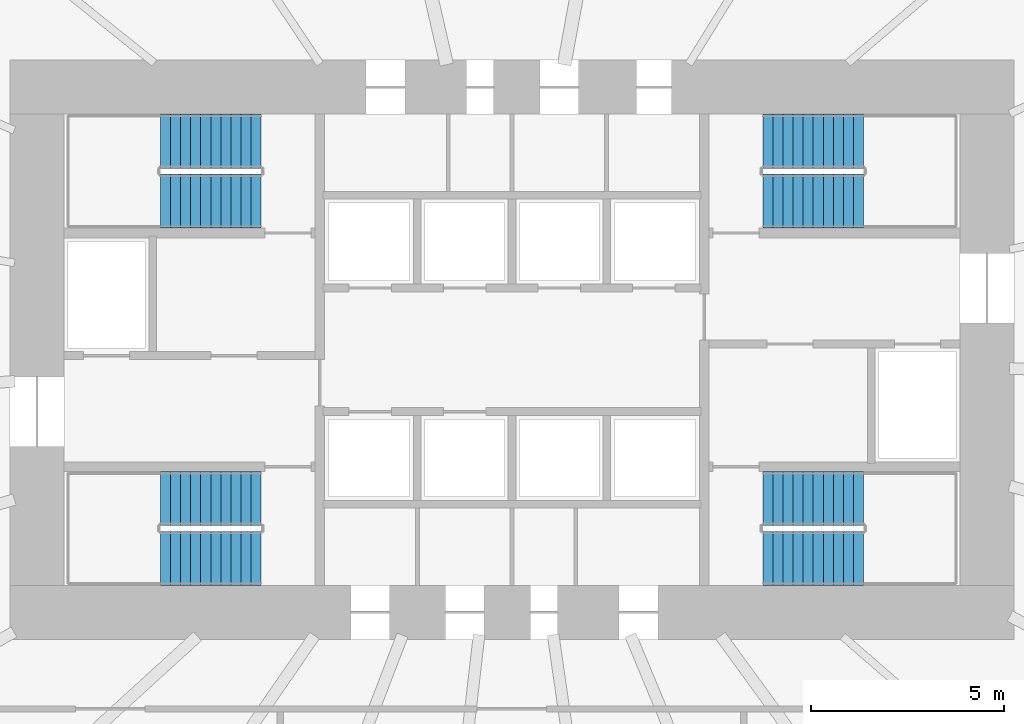
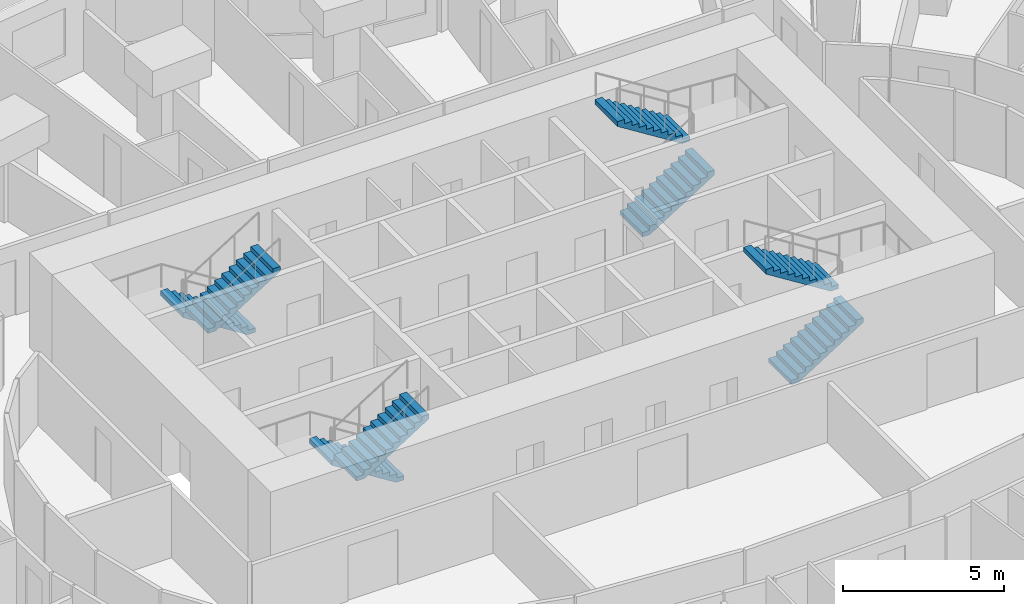
# One storey, part 11 of 12: 8 stair flights, 4 elements without a shape of their own.
"""IFC4 building model written with IfcOpenShell, lengths in metres."""

from ifc_helpers import new_model, si_unit, direction, frame, origin, place, context, subcontext, project, spatial, polyline, outline, extrude, material, type_object, element, aggregate, save


model = new_model("IFC4")

# Units and contexts
model_context = context("Model", 3, precision=1e-05, world=origin(), true_north=direction((0.0, 1.0)))
body_context = subcontext(model_context, "Body", "Model", "MODEL_VIEW")
ifc_project = project(units=[si_unit("LENGTHUNIT", "METRE"), si_unit("AREAUNIT", "SQUARE_METRE"), si_unit("VOLUMEUNIT", "CUBIC_METRE"), si_unit("PLANEANGLEUNIT", "RADIAN"), si_unit("MASSUNIT", "GRAM", prefix="KILO")], contexts=[model_context])

# Site, building, storey
site_placement = place(None, origin())
site = spatial("IfcSite", under=ifc_project, at=site_placement, CompositionType="ELEMENT")
building_placement = place(site_placement, origin())
building = spatial("IfcBuilding", under=site, at=building_placement, Name="Rubra Terraces Tower", CompositionType="ELEMENT")
storey_placement = place(building_placement, frame((0.0, 0.0, 73.5)))
storey = spatial("IfcBuildingStorey", under=building, at=storey_placement, Name="L16", CompositionType="ELEMENT", Elevation=73.5)

# Stair, stair flights
ifc_material = material(Name="Concrete C40", Category="concrete")
stair_type = type_object("IfcStairType", Name="Core stair 1400", PredefinedType="HALF_TURN_STAIR", material=ifc_material)
stair_1_placement = place(storey_placement, origin())
stair_1 = element("IfcStair", 1, at=stair_1_placement, inside=storey, type_object=stair_type, Name="L16 Exit stair S1", PredefinedType="HALF_TURN_STAIR")
stair_flight_type = type_object("IfcStairFlightType", Name="Core stair flight 1400", PredefinedType="STRAIGHT", material=ifc_material)
stair_flight_1_placement = place(storey_placement, frame((-6.5, 0.64990234375, 0.0), z_axis=(0.0, 0.0, 1.0), x_axis=(-1.0, 0.0, 0.0)))
stair_flight_1 = element("IfcStairFlight", 2, at=stair_flight_1_placement, type_object=stair_flight_type, Name="S1 flight 1", NumberOfRisers=11, NumberOfTreads=10, PredefinedType="STRAIGHT", RiserHeight=0.163636364, TreadLength=0.26, context=body_context, shape_type="SweptSolid", body=[
    extrude(outline(polyline([(0.0, 0.0), (0.0, 0.16357421875), (0.260009765625, 0.16357421875), (0.260009765625, 0.327392578125), (0.52001953125, 0.327392578125), (0.52001953125, 0.490966796875), (0.780029296875, 0.490966796875), (0.780029296875, 0.654541015625), (1.0400390625, 0.654541015625), (1.0400390625, 0.818115234375), (1.300048828125, 0.818115234375), (1.300048828125, 0.98193359375), (1.56005859375, 0.98193359375), (1.56005859375, 1.1455078125), (1.820068359375, 1.1455078125), (1.820068359375, 1.30908203125), (2.080078125, 1.30908203125), (2.080078125, 1.47265625), (2.340087890625, 1.47265625), (2.340087890625, 1.636474609375), (2.60009765625, 1.636474609375), (2.60009765625, 1.800048828125), (2.60009765625, 1.459228515625), (0.281494140625, 0.0), (0.0, 0.0)])), frame((0.0, 0.699951171875, 0.0), z_axis=(0.0, -1.0, 0.0), x_axis=(1.0, 0.0, 0.0)), (0.0, 0.0, 1.0), 1.39990234375),
])
stair_flight_2_placement = place(storey_placement, frame((-9.10009765625, -0.89990234375, 1.800048828125), z_axis=(0.0, 0.0, 1.0), x_axis=(1.0, 0.0, 0.0)))
stair_flight_2 = element("IfcStairFlight", 3, at=stair_flight_2_placement, type_object=stair_flight_type, Name="S1 flight 2", NumberOfRisers=11, NumberOfTreads=10, PredefinedType="STRAIGHT", RiserHeight=0.163636364, TreadLength=0.26, context=body_context, shape_type="SweptSolid", body=[
    extrude(outline(polyline([(0.0, 0.0), (0.0, 0.16357421875), (0.260009765625, 0.16357421875), (0.260009765625, 0.327392578125), (0.52001953125, 0.327392578125), (0.52001953125, 0.490966796875), (0.780029296875, 0.490966796875), (0.780029296875, 0.654541015625), (1.0400390625, 0.654541015625), (1.0400390625, 0.818115234375), (1.300048828125, 0.818115234375), (1.300048828125, 0.98193359375), (1.56005859375, 0.98193359375), (1.56005859375, 1.1455078125), (1.820068359375, 1.1455078125), (1.820068359375, 1.30908203125), (2.080078125, 1.30908203125), (2.080078125, 1.47265625), (2.340087890625, 1.47265625), (2.340087890625, 1.636474609375), (2.60009765625, 1.636474609375), (2.60009765625, 1.800048828125), (2.60009765625, 1.459228515625), (0.281494140625, 0.0), (0.0, 0.0)])), frame((0.0, 0.699951171875, 0.0), z_axis=(0.0, -1.0, 0.0), x_axis=(1.0, 0.0, 0.0)), (0.0, 0.0, 1.0), 1.39990234375),
])
aggregate(stair_1, [stair_flight_1, stair_flight_2])

stair_2_placement = place(storey_placement, origin())
stair_2 = element("IfcStair", 4, at=stair_2_placement, inside=storey, type_object=stair_type, Name="L16 Exit stair S2", PredefinedType="HALF_TURN_STAIR")
stair_flight_3_placement = place(storey_placement, frame((-6.5, 9.89990234375, 0.0), z_axis=(0.0, 0.0, 1.0), x_axis=(-1.0, 0.0, 0.0)))
stair_flight_3 = element("IfcStairFlight", 5, at=stair_flight_3_placement, type_object=stair_flight_type, Name="S2 flight 1", NumberOfRisers=11, NumberOfTreads=10, PredefinedType="STRAIGHT", RiserHeight=0.163636364, TreadLength=0.26, context=body_context, shape_type="SweptSolid", body=[
    extrude(outline(polyline([(0.0, 0.0), (0.0, 0.16357421875), (0.260009765625, 0.16357421875), (0.260009765625, 0.327392578125), (0.52001953125, 0.327392578125), (0.52001953125, 0.490966796875), (0.780029296875, 0.490966796875), (0.780029296875, 0.654541015625), (1.0400390625, 0.654541015625), (1.0400390625, 0.818115234375), (1.300048828125, 0.818115234375), (1.300048828125, 0.98193359375), (1.56005859375, 0.98193359375), (1.56005859375, 1.1455078125), (1.820068359375, 1.1455078125), (1.820068359375, 1.30908203125), (2.080078125, 1.30908203125), (2.080078125, 1.47265625), (2.340087890625, 1.47265625), (2.340087890625, 1.636474609375), (2.60009765625, 1.636474609375), (2.60009765625, 1.800048828125), (2.60009765625, 1.459228515625), (0.281494140625, 0.0), (0.0, 0.0)])), frame((0.0, 0.699951171875, 0.0), z_axis=(0.0, -1.0, 0.0), x_axis=(1.0, 0.0, 0.0)), (0.0, 0.0, 1.0), 1.39990234375),
])
stair_flight_4_placement = place(storey_placement, frame((-9.10009765625, 8.35009765625, 1.800048828125), z_axis=(0.0, 0.0, 1.0), x_axis=(1.0, 0.0, 0.0)))
stair_flight_4 = element("IfcStairFlight", 6, at=stair_flight_4_placement, type_object=stair_flight_type, Name="S2 flight 2", NumberOfRisers=11, NumberOfTreads=10, PredefinedType="STRAIGHT", RiserHeight=0.163636364, TreadLength=0.26, context=body_context, shape_type="SweptSolid", body=[
    extrude(outline(polyline([(0.0, 0.0), (0.0, 0.16357421875), (0.260009765625, 0.16357421875), (0.260009765625, 0.327392578125), (0.52001953125, 0.327392578125), (0.52001953125, 0.490966796875), (0.780029296875, 0.490966796875), (0.780029296875, 0.654541015625), (1.0400390625, 0.654541015625), (1.0400390625, 0.818115234375), (1.300048828125, 0.818115234375), (1.300048828125, 0.98193359375), (1.56005859375, 0.98193359375), (1.56005859375, 1.1455078125), (1.820068359375, 1.1455078125), (1.820068359375, 1.30908203125), (2.080078125, 1.30908203125), (2.080078125, 1.47265625), (2.340087890625, 1.47265625), (2.340087890625, 1.636474609375), (2.60009765625, 1.636474609375), (2.60009765625, 1.800048828125), (2.60009765625, 1.459228515625), (0.281494140625, 0.0), (0.0, 0.0)])), frame((0.0, 0.699951171875, 0.0), z_axis=(0.0, -1.0, 0.0), x_axis=(1.0, 0.0, 0.0)), (0.0, 0.0, 1.0), 1.39990234375),
])
aggregate(stair_2, [stair_flight_3, stair_flight_4])

stair_3_placement = place(storey_placement, origin())
stair_3 = element("IfcStair", 7, at=stair_3_placement, inside=storey, type_object=stair_type, Name="L16 Exit stair S3", PredefinedType="HALF_TURN_STAIR")
stair_flight_5_placement = place(storey_placement, frame((6.5, 8.35009765625, 0.0), z_axis=(0.0, 0.0, 1.0), x_axis=(1.0, 0.0, 0.0)))
stair_flight_5 = element("IfcStairFlight", 8, at=stair_flight_5_placement, type_object=stair_flight_type, Name="S3 flight 1", NumberOfRisers=11, NumberOfTreads=10, PredefinedType="STRAIGHT", RiserHeight=0.163636364, TreadLength=0.26, context=body_context, shape_type="SweptSolid", body=[
    extrude(outline(polyline([(0.0, 0.0), (0.0, 0.16357421875), (0.260009765625, 0.16357421875), (0.260009765625, 0.327392578125), (0.52001953125, 0.327392578125), (0.52001953125, 0.490966796875), (0.780029296875, 0.490966796875), (0.780029296875, 0.654541015625), (1.0400390625, 0.654541015625), (1.0400390625, 0.818115234375), (1.300048828125, 0.818115234375), (1.300048828125, 0.98193359375), (1.56005859375, 0.98193359375), (1.56005859375, 1.1455078125), (1.820068359375, 1.1455078125), (1.820068359375, 1.30908203125), (2.080078125, 1.30908203125), (2.080078125, 1.47265625), (2.340087890625, 1.47265625), (2.340087890625, 1.636474609375), (2.60009765625, 1.636474609375), (2.60009765625, 1.800048828125), (2.60009765625, 1.459228515625), (0.281494140625, 0.0), (0.0, 0.0)])), frame((0.0, 0.699951171875, 0.0), z_axis=(0.0, -1.0, 0.0), x_axis=(1.0, 0.0, 0.0)), (0.0, 0.0, 1.0), 1.39990234375),
])
stair_flight_6_placement = place(storey_placement, frame((9.10009765625, 9.89990234375, 1.800048828125), z_axis=(0.0, 0.0, 1.0), x_axis=(-1.0, 0.0, 0.0)))
stair_flight_6 = element("IfcStairFlight", 9, at=stair_flight_6_placement, type_object=stair_flight_type, Name="S3 flight 2", NumberOfRisers=11, NumberOfTreads=10, PredefinedType="STRAIGHT", RiserHeight=0.163636364, TreadLength=0.26, context=body_context, shape_type="SweptSolid", body=[
    extrude(outline(polyline([(0.0, 0.0), (0.0, 0.16357421875), (0.260009765625, 0.16357421875), (0.260009765625, 0.327392578125), (0.52001953125, 0.327392578125), (0.52001953125, 0.490966796875), (0.780029296875, 0.490966796875), (0.780029296875, 0.654541015625), (1.0400390625, 0.654541015625), (1.0400390625, 0.818115234375), (1.300048828125, 0.818115234375), (1.300048828125, 0.98193359375), (1.56005859375, 0.98193359375), (1.56005859375, 1.1455078125), (1.820068359375, 1.1455078125), (1.820068359375, 1.30908203125), (2.080078125, 1.30908203125), (2.080078125, 1.47265625), (2.340087890625, 1.47265625), (2.340087890625, 1.636474609375), (2.60009765625, 1.636474609375), (2.60009765625, 1.800048828125), (2.60009765625, 1.459228515625), (0.281494140625, 0.0), (0.0, 0.0)])), frame((0.0, 0.699951171875, 0.0), z_axis=(0.0, -1.0, 0.0), x_axis=(1.0, 0.0, 0.0)), (0.0, 0.0, 1.0), 1.39990234375),
])
aggregate(stair_3, [stair_flight_5, stair_flight_6])

stair_4_placement = place(storey_placement, origin())
stair_4 = element("IfcStair", 10, at=stair_4_placement, inside=storey, type_object=stair_type, Name="L16 Exit stair S4", PredefinedType="HALF_TURN_STAIR")
stair_flight_7_placement = place(storey_placement, frame((6.5, -0.89990234375, 0.0), z_axis=(0.0, 0.0, 1.0), x_axis=(1.0, 0.0, 0.0)))
stair_flight_7 = element("IfcStairFlight", 11, at=stair_flight_7_placement, type_object=stair_flight_type, Name="S4 flight 1", NumberOfRisers=11, NumberOfTreads=10, PredefinedType="STRAIGHT", RiserHeight=0.163636364, TreadLength=0.26, context=body_context, shape_type="SweptSolid", body=[
    extrude(outline(polyline([(0.0, 0.0), (0.0, 0.16357421875), (0.260009765625, 0.16357421875), (0.260009765625, 0.327392578125), (0.52001953125, 0.327392578125), (0.52001953125, 0.490966796875), (0.780029296875, 0.490966796875), (0.780029296875, 0.654541015625), (1.0400390625, 0.654541015625), (1.0400390625, 0.818115234375), (1.300048828125, 0.818115234375), (1.300048828125, 0.98193359375), (1.56005859375, 0.98193359375), (1.56005859375, 1.1455078125), (1.820068359375, 1.1455078125), (1.820068359375, 1.30908203125), (2.080078125, 1.30908203125), (2.080078125, 1.47265625), (2.340087890625, 1.47265625), (2.340087890625, 1.636474609375), (2.60009765625, 1.636474609375), (2.60009765625, 1.800048828125), (2.60009765625, 1.459228515625), (0.281494140625, 0.0), (0.0, 0.0)])), frame((0.0, 0.699951171875, 0.0), z_axis=(0.0, -1.0, 0.0), x_axis=(1.0, 0.0, 0.0)), (0.0, 0.0, 1.0), 1.39990234375),
])
stair_flight_8_placement = place(storey_placement, frame((9.10009765625, 0.64990234375, 1.800048828125), z_axis=(0.0, 0.0, 1.0), x_axis=(-1.0, 0.0, 0.0)))
stair_flight_8 = element("IfcStairFlight", 12, at=stair_flight_8_placement, type_object=stair_flight_type, Name="S4 flight 2", NumberOfRisers=11, NumberOfTreads=10, PredefinedType="STRAIGHT", RiserHeight=0.163636364, TreadLength=0.26, context=body_context, shape_type="SweptSolid", body=[
    extrude(outline(polyline([(0.0, 0.0), (0.0, 0.16357421875), (0.260009765625, 0.16357421875), (0.260009765625, 0.327392578125), (0.52001953125, 0.327392578125), (0.52001953125, 0.490966796875), (0.780029296875, 0.490966796875), (0.780029296875, 0.654541015625), (1.0400390625, 0.654541015625), (1.0400390625, 0.818115234375), (1.300048828125, 0.818115234375), (1.300048828125, 0.98193359375), (1.56005859375, 0.98193359375), (1.56005859375, 1.1455078125), (1.820068359375, 1.1455078125), (1.820068359375, 1.30908203125), (2.080078125, 1.30908203125), (2.080078125, 1.47265625), (2.340087890625, 1.47265625), (2.340087890625, 1.636474609375), (2.60009765625, 1.636474609375), (2.60009765625, 1.800048828125), (2.60009765625, 1.459228515625), (0.281494140625, 0.0), (0.0, 0.0)])), frame((0.0, 0.699951171875, 0.0), z_axis=(0.0, -1.0, 0.0), x_axis=(1.0, 0.0, 0.0)), (0.0, 0.0, 1.0), 1.39990234375),
])
aggregate(stair_4, [stair_flight_7, stair_flight_8])

save(model, "model.ifc")
